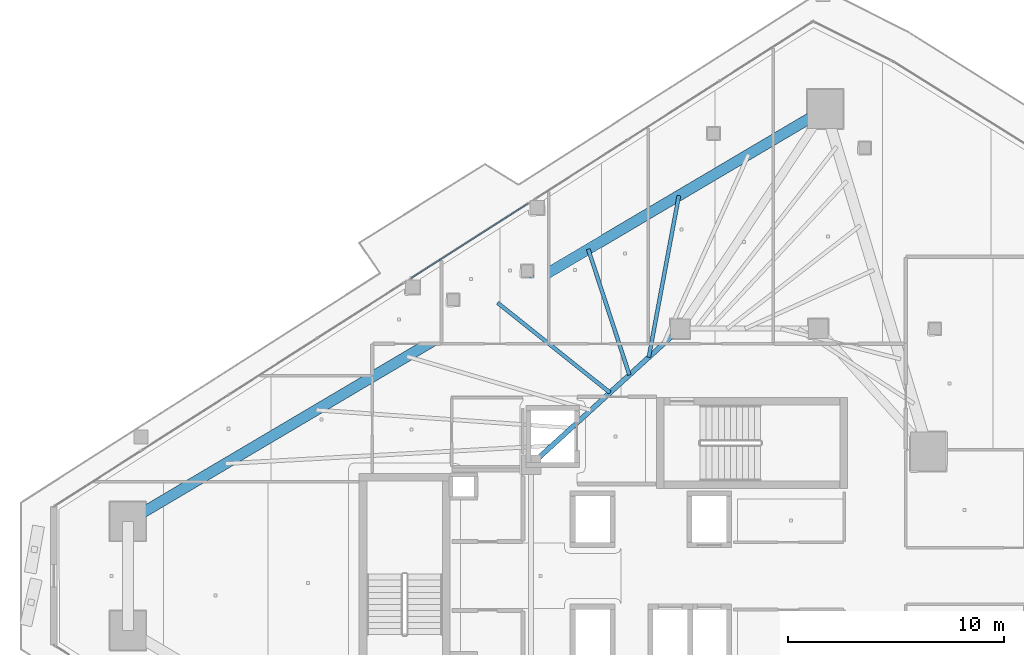
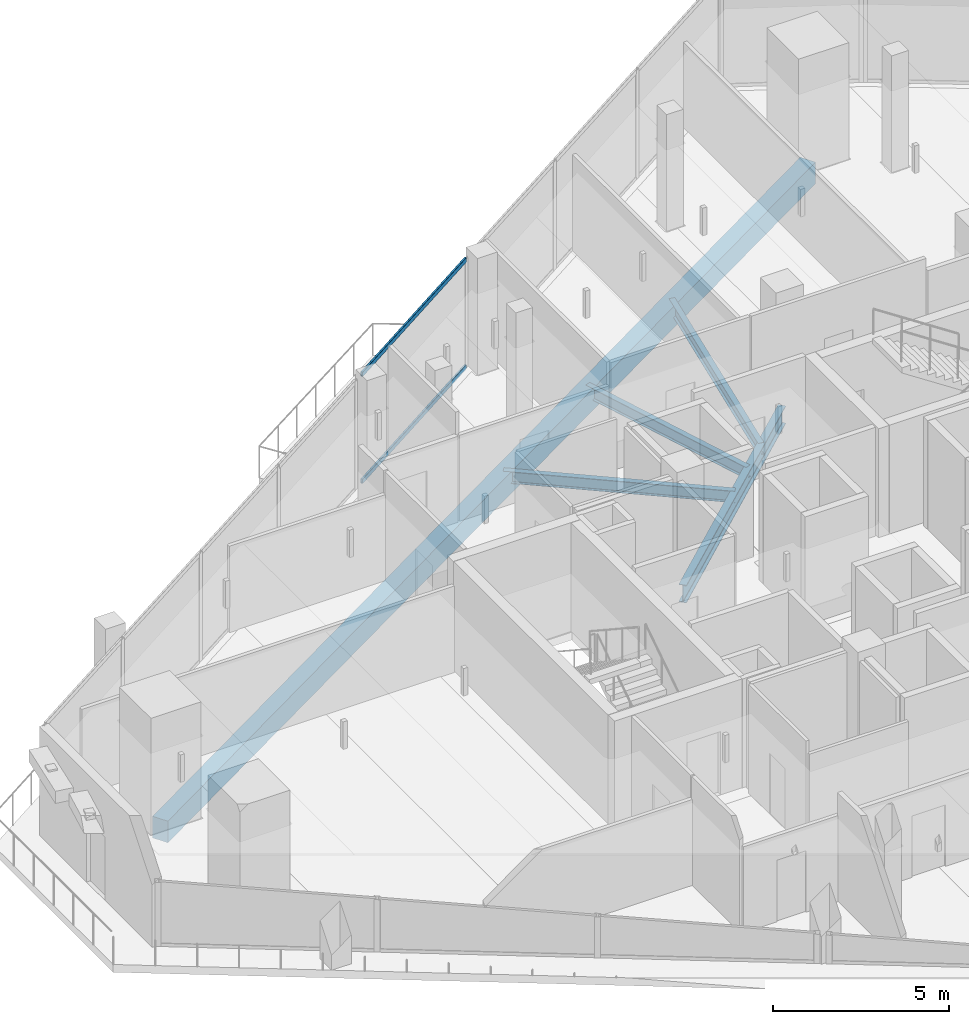
# One storey, part 16 of 36: 5 beams, 2 members, 1 element without a shape of its own.
"""IFC4 building model written with IfcOpenShell, lengths in metres."""

from ifc_helpers import new_model, si_unit, direction, frame, origin, origin_2d, place, context, subcontext, project, spatial, rectangle, hollow_rectangle, i_section, extrude, material, layer, layer_set, material_profile, profile_set, type_object, element, aggregate, save


model = new_model("IFC4")

# Units and contexts
model_context = context("Model", 3, precision=1e-05, world=origin(), true_north=direction((0.0, 1.0)))
body_context = subcontext(model_context, "Body", "Model", "MODEL_VIEW")
ifc_project = project(units=[si_unit("LENGTHUNIT", "METRE"), si_unit("AREAUNIT", "SQUARE_METRE"), si_unit("VOLUMEUNIT", "CUBIC_METRE"), si_unit("PLANEANGLEUNIT", "RADIAN"), si_unit("MASSUNIT", "GRAM", prefix="KILO")], contexts=[model_context])

# Site, building, storey
site_placement = place(None, origin())
site = spatial("IfcSite", under=ifc_project, at=site_placement, CompositionType="ELEMENT")
building_placement = place(site_placement, origin())
building = spatial("IfcBuilding", under=site, at=building_placement, Name="Qorvath Tower", CompositionType="ELEMENT")
storey_placement = place(building_placement, frame((0.0, 0.0, 241.5)))
storey = spatial("IfcBuildingStorey", under=building, at=storey_placement, Name="L56", CompositionType="ELEMENT", Elevation=241.5)

# Beams
ifc_material_1 = material(Name="Steel ASTM A992 Grade 50", Category="steel")
ifc_material_profile_1 = material_profile(ifc_material_1, i_section(OverallWidth=0.22998046875, OverallDepth=0.616943359375, WebThickness=0.01318359375, FlangeThickness=0.022216796875, FilletRadius=0.014892578125, at=origin_2d()), Name="W24x94")
ifc_profile_set_1 = profile_set([ifc_material_profile_1], Name="Steel ASTM A992 Grade 50")
beam_type_1 = type_object("IfcBeamType", Name="BM-FG6", PredefinedType="BEAM", material=ifc_profile_set_1)
beam_1_placement = place(storey_placement, frame((-30.5, 5.14990234375, -0.57861328125), z_axis=(0.73847813985, 0.6742774184, 0.0), x_axis=(-0.6742774184, 0.73847813985, 0.0)))
element("IfcBeam", 1, at=beam_1_placement, inside=storey, type_object=beam_type_1, Name="Core Ring Girder CC5-CC1 L56", PredefinedType="BEAM", context=body_context, shape_type="SweptSolid", body=[
    extrude(i_section(OverallWidth=0.22998046875, OverallDepth=0.616943359375, WebThickness=0.01318359375, FlangeThickness=0.022216796875, FilletRadius=0.014892578125, at=origin_2d()), origin(), (0.0, 0.0, 1.0), 9.343505859375),
])
ifc_material_2 = material(Name="Steel ASTM A992 Grade 50", Category="steel")
ifc_material_profile_2 = material_profile(ifc_material_2, i_section(OverallWidth=0.177978515625, OverallDepth=0.406005859375, WebThickness=0.0078125, FlangeThickness=0.0126953125, FilletRadius=0.010986328125, at=origin_2d()), Name="W16x40")
ifc_profile_set_2 = profile_set([ifc_material_profile_2], Name="Steel ASTM A992 Grade 50")
beam_type_2 = type_object("IfcBeamType", Name="BM-FJ3", PredefinedType="JOIST", material=ifc_profile_set_2)
beam_2_placement = place(storey_placement, frame((-26.843017578125, 8.489013671875, -0.472900390625), z_axis=(-0.781336553339, 0.624109918537, 0.0), x_axis=(-0.624109918537, -0.781336553339, 0.0)))
element("IfcBeam", 2, at=beam_2_placement, inside=storey, type_object=beam_type_2, Name="Composite Floor Joist NW4 L56", PredefinedType="JOIST", context=body_context, shape_type="SweptSolid", body=[
    extrude(i_section(OverallWidth=0.177978515625, OverallDepth=0.406005859375, WebThickness=0.0078125, FlangeThickness=0.0126953125, FilletRadius=0.010986328125, at=origin_2d()), origin(), (0.0, 0.0, 1.0), 6.667724609375),
])
beam_3_placement = place(storey_placement, frame((-25.946044921875, 9.30810546875, -0.472900390625), z_axis=(-0.311228747452, 0.950335028692, 0.0), x_axis=(-0.950335028692, -0.311228747452, 0.0)))
element("IfcBeam", 3, at=beam_3_placement, inside=storey, type_object=beam_type_2, Name="Composite Floor Joist NW5 L56", PredefinedType="JOIST", context=body_context, shape_type="SweptSolid", body=[
    extrude(i_section(OverallWidth=0.177978515625, OverallDepth=0.406005859375, WebThickness=0.0078125, FlangeThickness=0.0126953125, FilletRadius=0.010986328125, at=origin_2d()), origin(), (0.0, 0.0, 1.0), 6.129638671875),
])
beam_4_placement = place(storey_placement, frame((-25.049072265625, 10.126953125, -0.472900390625), z_axis=(0.183026775988, 0.983107928598, 0.0), x_axis=(-0.983107928598, 0.183026775988, 0.0)))
element("IfcBeam", 4, at=beam_4_placement, inside=storey, type_object=beam_type_2, Name="Composite Floor Joist NW6 L56", PredefinedType="JOIST", context=body_context, shape_type="SweptSolid", body=[
    extrude(i_section(OverallWidth=0.177978515625, OverallDepth=0.406005859375, WebThickness=0.0078125, FlangeThickness=0.0126953125, FilletRadius=0.010986328125, at=origin_2d()), origin(), (0.0, 0.0, 1.0), 7.617919921875),
])
ifc_material_3 = material(Name="Concrete C45/55", Category="concrete")
ifc_material_profile_3 = material_profile(ifc_material_3, rectangle(XDim=0.5, YDim=0.75, at=origin_2d()), Name="RCB 750x500")
ifc_profile_set_3 = profile_set([ifc_material_profile_3], Name="Concrete C45/55")
beam_type_3 = type_object("IfcBeamType", Name="BM-RCB3", PredefinedType="SPANDREL", material=ifc_profile_set_3)
beam_5_placement = place(storey_placement, frame((-16.87158203125, 21.627197265625, -0.64501953125), z_axis=(-0.860776759786, -0.50898268125, 0.0), x_axis=(0.50898268125, -0.860776759786, 0.0)))
element("IfcBeam", 5, at=beam_5_placement, inside=storey, type_object=beam_type_3, Name="Perimeter Loggia Frame Beam MC6-MC1 L56", PredefinedType="SPANDREL", context=body_context, shape_type="SweptSolid", body=[
    extrude(rectangle(XDim=0.5, YDim=0.75, at=origin_2d()), origin(), (0.0, 0.0, 1.0), 37.524658203125),
])

# Curtain wall, members
ifc_material_4 = material(Name="Anodised aluminium and triple low-E glass", Category="aluminium")
ifc_layer = layer(ifc_material_4, 0.179931640625)
ifc_layer_set = layer_set([ifc_layer], Name="CW-SYS-3")
curtain_wall_type = type_object("IfcCurtainWallType", Name="CW-SYS-3", PredefinedType="NOTDEFINED", material=ifc_layer_set)
curtain_wall_placement = place(storey_placement, origin())
curtain_wall = element("IfcCurtainWall", 6, at=curtain_wall_placement, inside=storey, type_object=curtain_wall_type, Name="Curtain Wall CW-3 CW-T-L56-16.2", PredefinedType="NOTDEFINED")
ifc_material_5 = material(Name="Anodised aluminium 6063-T6", Category="aluminium")
ifc_material_profile_4 = material_profile(ifc_material_5, hollow_rectangle(XDim=0.06494140625, YDim=0.159912109375, WallThickness=0.00341796875, InnerFilletRadius=0.00341796875, OuterFilletRadius=0.007080078125, at=origin_2d()), Name="CWT 160x65")
ifc_profile_set_4 = profile_set([ifc_material_profile_4], Name="Anodised aluminium 6063-T6")
member_type = type_object("IfcMemberType", Name="CWT-160", PredefinedType="USERDEFINED", material=ifc_profile_set_4)
member_1_placement = place(storey_placement, frame((-30.649658203125, 17.239990234375, 0.032470703125), z_axis=(-0.842622379805, -0.53850489789, 0.0), x_axis=(0.53850489789, -0.842622379805, 0.0)))
member_1 = element("IfcMember", 7, at=member_1_placement, type_object=member_type, Name="CW-3 transom 1.1", ObjectType="TRANSOM", PredefinedType="USERDEFINED", context=body_context, shape_type="SweptSolid", body=[
    extrude(hollow_rectangle(XDim=0.06494140625, YDim=0.159912109375, WallThickness=0.00341796875, InnerFilletRadius=0.00341796875, OuterFilletRadius=0.007080078125, at=origin_2d()), origin(), (0.0, 0.0, 1.0), 6.414306640625),
])
member_2_placement = place(storey_placement, frame((-30.649658203125, 17.239990234375, 3.74755859375), z_axis=(-0.842622379805, -0.53850489789, 0.0), x_axis=(0.53850489789, -0.842622379805, 0.0)))
member_2 = element("IfcMember", 8, at=member_2_placement, type_object=member_type, Name="CW-3 transom 1.2", ObjectType="TRANSOM", PredefinedType="USERDEFINED", context=body_context, shape_type="SweptSolid", body=[
    extrude(hollow_rectangle(XDim=0.06494140625, YDim=0.159912109375, WallThickness=0.00341796875, InnerFilletRadius=0.00341796875, OuterFilletRadius=0.007080078125, at=origin_2d()), origin(), (0.0, 0.0, 1.0), 6.414306640625),
])
aggregate(curtain_wall, [member_1, member_2])

save(model, "model.ifc")
